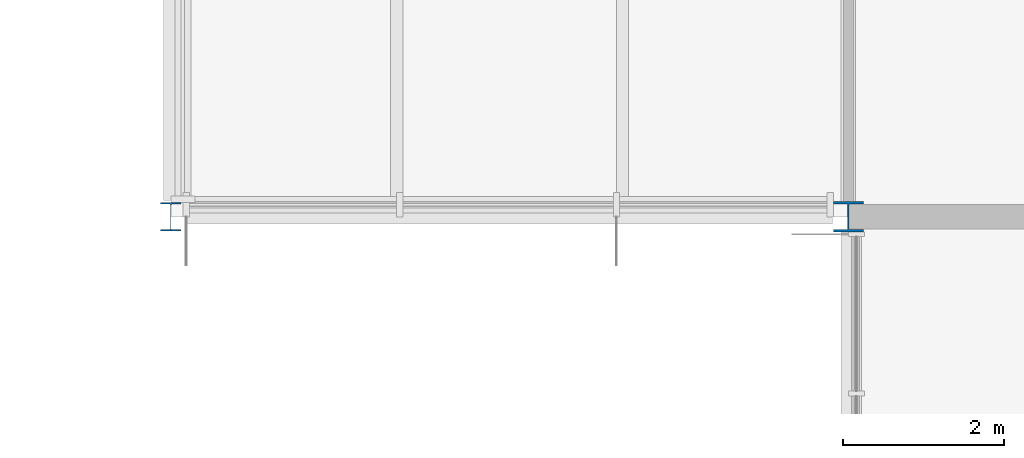
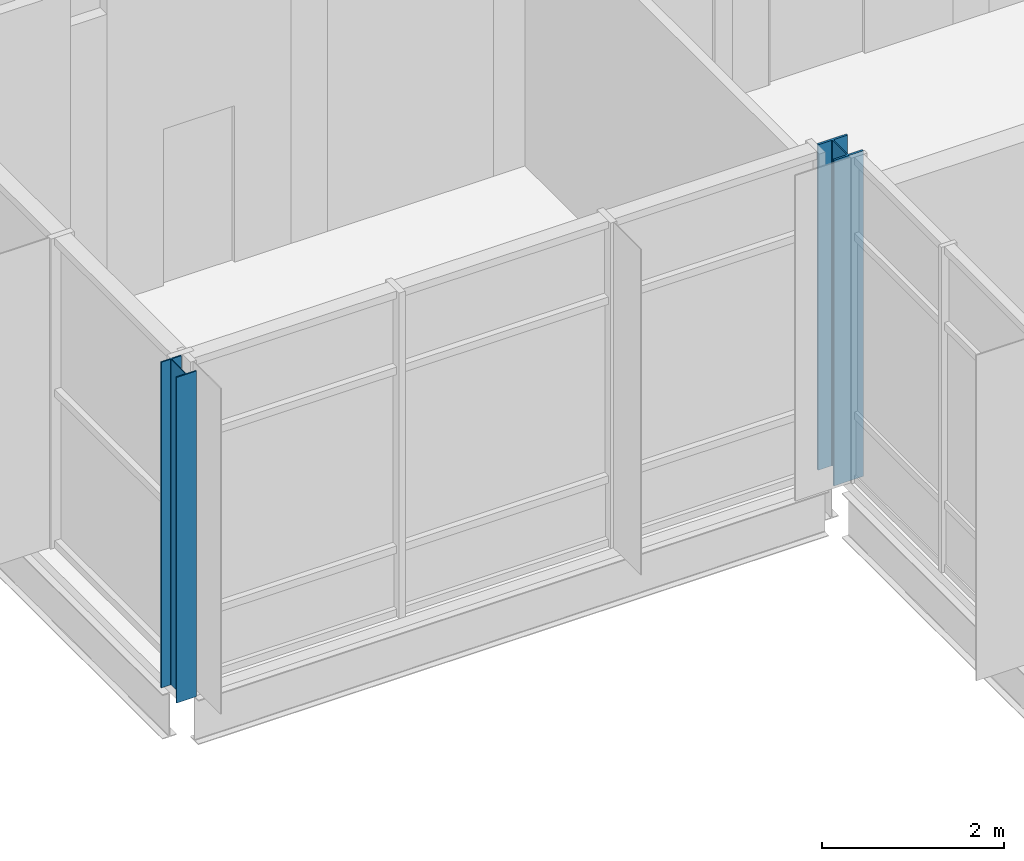
# One storey, part 5 of 72: 2 columns.
"""IFC4 building model written with IfcOpenShell, lengths in metres."""

from ifc_helpers import new_model, si_unit, direction, frame, origin, origin_2d, place, context, subcontext, project, spatial, i_section, extrude, material, material_profile, profile_set, type_object, element, save


model = new_model("IFC4")

# Units and contexts
model_context = context("Model", 3, precision=1e-05, world=origin(), true_north=direction((0.0, 1.0)))
body_context = subcontext(model_context, "Body", "Model", "MODEL_VIEW")
ifc_project = project(units=[si_unit("LENGTHUNIT", "METRE"), si_unit("AREAUNIT", "SQUARE_METRE"), si_unit("VOLUMEUNIT", "CUBIC_METRE"), si_unit("PLANEANGLEUNIT", "RADIAN"), si_unit("MASSUNIT", "GRAM", prefix="KILO")], contexts=[model_context])

# Site, building, storey
site_placement = place(None, origin())
site = spatial("IfcSite", under=ifc_project, at=site_placement, CompositionType="ELEMENT")
building_placement = place(site_placement, origin())
building = spatial("IfcBuilding", under=site, at=building_placement, Name="Hlaing Beacon Police Headquarters", CompositionType="ELEMENT")
storey_placement = place(building_placement, frame((0.0, 0.0, 14.39990234375)))
storey = spatial("IfcBuildingStorey", under=building, at=storey_placement, Name="L03", CompositionType="ELEMENT", Elevation=14.39990234375)

# Columns
ifc_material_1 = material(Name="Steel ASTM A992 Grade 50", Category="steel")
ifc_material_profile_1 = material_profile(ifc_material_1, i_section(OverallWidth=0.373291015625, OverallDepth=0.373291015625, WebThickness=0.016357421875, FlangeThickness=0.026123046875, FilletRadius=0.01513671875, at=origin_2d()), Name="W14x132")
ifc_profile_set_1 = profile_set([ifc_material_profile_1], Name="Steel ASTM A992 Grade 50")
column_type_1 = type_object("IfcColumnType", Name="Steel column W14x132", PredefinedType="COLUMN", material=ifc_profile_set_1)
column_1_placement = place(storey_placement, frame((100.800048828125, 67.199951171875, 0.0), z_axis=(0.0, 0.0, 1.0), x_axis=(1.0, 0.0, 0.0)))
element("IfcColumn", 1, at=column_1_placement, inside=storey, type_object=column_type_1, Name="STR-COL-L03-N9", PredefinedType="COLUMN", context=body_context, shape_type="SweptSolid", body=[
    extrude(i_section(OverallWidth=0.373291015625, OverallDepth=0.373291015625, WebThickness=0.016357421875, FlangeThickness=0.026123046875, FilletRadius=0.01513671875, at=origin_2d()), origin(), (0.0, 0.0, 1.0), 4.3701171875),
])
ifc_material_2 = material(Name="Steel ASTM A992 Grade 50", Category="steel")
ifc_material_profile_2 = material_profile(ifc_material_2, i_section(OverallWidth=0.25390625, OverallDepth=0.35302734375, WebThickness=0.009521484375, FlangeThickness=0.016357421875, FilletRadius=0.01513671875, at=origin_2d()), Name="W14x61")
ifc_profile_set_2 = profile_set([ifc_material_profile_2], Name="Steel ASTM A992 Grade 50")
column_type_2 = type_object("IfcColumnType", Name="Steel column W14x61", PredefinedType="COLUMN", material=ifc_profile_set_2)
column_2_placement = place(storey_placement, frame((92.39990234375, 67.199951171875, 0.0), z_axis=(0.0, 0.0, 1.0), x_axis=(1.0, 0.0, 0.0)))
element("IfcColumn", 2, at=column_2_placement, inside=storey, type_object=column_type_2, Name="STR-COL-L03-M9", PredefinedType="COLUMN", context=body_context, shape_type="SweptSolid", body=[
    extrude(i_section(OverallWidth=0.25390625, OverallDepth=0.35302734375, WebThickness=0.009521484375, FlangeThickness=0.016357421875, FilletRadius=0.01513671875, at=origin_2d()), origin(), (0.0, 0.0, 1.0), 4.3701171875),
])

save(model, "model.ifc")
